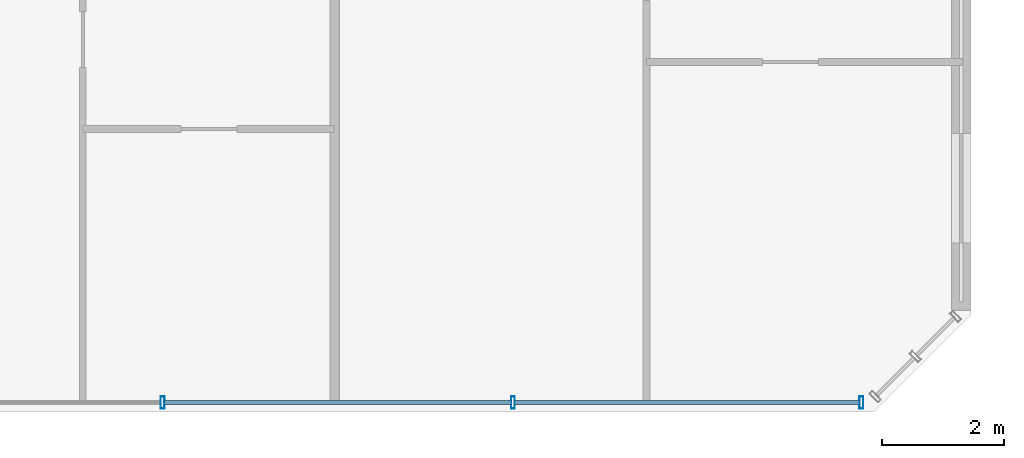
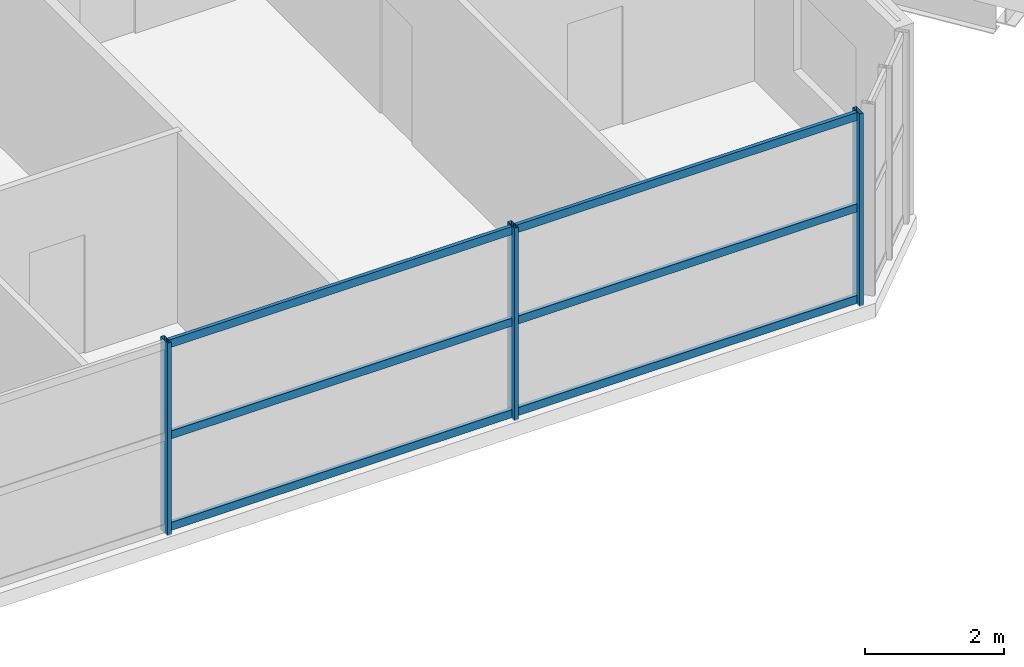
# One storey, part 8 of 29: 9 members, 1 element without a shape of its own.
"""IFC4 building model written with IfcOpenShell, lengths in metres."""

from ifc_helpers import new_model, si_unit, direction, frame, origin, origin_2d, place, context, subcontext, project, spatial, hollow_rectangle, extrude, source, transform, mapped, material, material_profile, profile_set, type_object, element, aggregate, save


model = new_model("IFC4")

# Units and contexts
model_context = context("Model", 3, precision=1e-05, world=origin(), true_north=direction((0.0, 1.0)))
body_context = subcontext(model_context, "Body", "Model", "MODEL_VIEW")
ifc_project = project(units=[si_unit("LENGTHUNIT", "METRE"), si_unit("AREAUNIT", "SQUARE_METRE"), si_unit("VOLUMEUNIT", "CUBIC_METRE"), si_unit("PLANEANGLEUNIT", "RADIAN"), si_unit("MASSUNIT", "GRAM", prefix="KILO")], contexts=[model_context])

# Site, building, storey
site_placement = place(None, origin())
site = spatial("IfcSite", under=ifc_project, at=site_placement, CompositionType="ELEMENT")
building_placement = place(site_placement, origin())
building = spatial("IfcBuilding", under=site, at=building_placement, Name="Tlacorven Tower", CompositionType="ELEMENT")
storey_placement = place(building_placement, frame((0.0, 0.0, 158.699951171875)))
storey = spatial("IfcBuildingStorey", under=building, at=storey_placement, Name="L40", CompositionType="ELEMENT", Elevation=158.699951171875)

# Curtain wall, members
ifc_material_1 = material(Name="Dark solar low-E double glazing in aluminium frame", Category="aluminium")
curtain_wall_type = type_object("IfcCurtainWallType", Name="CW-TWR-MID", PredefinedType="USERDEFINED", material=ifc_material_1)
curtain_wall_placement = place(storey_placement, origin())
curtain_wall = element("IfcCurtainWall", 1, at=curtain_wall_placement, inside=storey, type_object=curtain_wall_type, Name="L40 CW-TWR-MID Curtain Wall 179", ObjectType="UNITISED CURTAIN WALL", PredefinedType="USERDEFINED")
ifc_material_2 = material(Name="Aluminium 6063-T6 anodised", Category="aluminium")
ifc_material_profile_1 = material_profile(ifc_material_2, hollow_rectangle(XDim=0.06005859375, YDim=0.139892578125, WallThickness=0.00390625, at=origin_2d()), Name="ALU TRANSOM 60X140")
ifc_profile_set_1 = profile_set([ifc_material_profile_1], Name="Aluminium 6063-T6 anodised")
member_type_1 = type_object("IfcMemberType", Name="CWT-02", PredefinedType="USERDEFINED", material=ifc_profile_set_1)
shared_shape_1 = source(origin(), body_context, "Body", "SweptSolid", [
    extrude(hollow_rectangle(XDim=0.06005859375, YDim=0.139892578125, WallThickness=0.00390625, at=origin_2d()), origin(), (0.0, 0.0, 1.0), 5.682373046875),
])
member_1_placement = place(storey_placement, frame((50.580810546875, 1.9599609375, 0.070068359375), z_axis=(-1.0, 0.0, 0.0), x_axis=(0.0, -1.0, 0.0)))
member_1 = element("IfcMember", 2, at=member_1_placement, type_object=member_type_1, Name="CW-L40-179 Transom 1", ObjectType="TRANSOM", PredefinedType="USERDEFINED", context=body_context, shape_type="MappedRepresentation", body=[
    mapped(shared_shape_1, transform((0.0, 0.0, 0.0), scale=1.0)),
])
member_2_placement = place(storey_placement, frame((50.580810546875, 1.9599609375, 1.675048828125), z_axis=(-1.0, 0.0, 0.0), x_axis=(0.0, -1.0, 0.0)))
member_2 = element("IfcMember", 3, at=member_2_placement, type_object=member_type_1, Name="CW-L40-179 Transom 2", ObjectType="TRANSOM", PredefinedType="USERDEFINED", context=body_context, shape_type="MappedRepresentation", body=[
    mapped(shared_shape_1, transform((0.0, 0.0, 0.0), scale=1.0)),
])
member_3_placement = place(storey_placement, frame((50.580810546875, 1.9599609375, 3.280029296875), z_axis=(-1.0, 0.0, 0.0), x_axis=(0.0, -1.0, 0.0)))
member_3 = element("IfcMember", 4, at=member_3_placement, type_object=member_type_1, Name="CW-L40-179 Transom 3", ObjectType="TRANSOM", PredefinedType="USERDEFINED", context=body_context, shape_type="MappedRepresentation", body=[
    mapped(shared_shape_1, transform((0.0, 0.0, 0.0), scale=1.0)),
])
shared_shape_2 = source(origin(), body_context, "Body", "SweptSolid", [
    extrude(hollow_rectangle(XDim=0.06005859375, YDim=0.139892578125, WallThickness=0.00390625, at=origin_2d()), origin(), (0.0, 0.0, 1.0), 5.71484375),
])
member_4_placement = place(storey_placement, frame((44.857421875, 1.9599609375, 0.070068359375), z_axis=(-1.0, 0.0, 0.0), x_axis=(0.0, -1.0, 0.0)))
member_4 = element("IfcMember", 5, at=member_4_placement, type_object=member_type_1, Name="CW-L40-179 Transom 4", ObjectType="TRANSOM", PredefinedType="USERDEFINED", context=body_context, shape_type="MappedRepresentation", body=[
    mapped(shared_shape_2, transform((0.0, 0.0, 0.0), scale=1.0)),
])
member_5_placement = place(storey_placement, frame((44.857421875, 1.9599609375, 1.675048828125), z_axis=(-1.0, 0.0, 0.0), x_axis=(0.0, -1.0, 0.0)))
member_5 = element("IfcMember", 6, at=member_5_placement, type_object=member_type_1, Name="CW-L40-179 Transom 5", ObjectType="TRANSOM", PredefinedType="USERDEFINED", context=body_context, shape_type="MappedRepresentation", body=[
    mapped(shared_shape_2, transform((0.0, 0.0, 0.0), scale=1.0)),
])
member_6_placement = place(storey_placement, frame((44.857421875, 1.9599609375, 3.280029296875), z_axis=(-1.0, 0.0, 0.0), x_axis=(0.0, -1.0, 0.0)))
member_6 = element("IfcMember", 7, at=member_6_placement, type_object=member_type_1, Name="CW-L40-179 Transom 6", ObjectType="TRANSOM", PredefinedType="USERDEFINED", context=body_context, shape_type="MappedRepresentation", body=[
    mapped(shared_shape_2, transform((0.0, 0.0, 0.0), scale=1.0)),
])
ifc_material_profile_2 = material_profile(ifc_material_2, hollow_rectangle(XDim=0.06494140625, YDim=0.199951171875, WallThickness=0.00439453125, at=origin_2d()), Name="ALU MULLION 65X200")
ifc_profile_set_2 = profile_set([ifc_material_profile_2], Name="Aluminium 6063-T6 anodised")
member_type_2 = type_object("IfcMemberType", Name="CWM-02", PredefinedType="MULLION", material=ifc_profile_set_2)
shared_shape_3 = source(origin(), body_context, "Body", "SweptSolid", [
    extrude(hollow_rectangle(XDim=0.06494140625, YDim=0.199951171875, WallThickness=0.00439453125, at=origin_2d()), origin(), (0.0, 0.0, 1.0), 3.380126953125),
])
member_7_placement = place(storey_placement, frame((50.601318359375, 1.9599609375, -0.02001953125), z_axis=(0.0, 0.0, 1.0), x_axis=(-1.0, 0.0, 0.0)))
member_7 = element("IfcMember", 8, at=member_7_placement, type_object=member_type_2, Name="CW-L40-179 Mullion 1", PredefinedType="MULLION", context=body_context, shape_type="MappedRepresentation", body=[
    mapped(shared_shape_3, transform((0.0, 0.0, 0.0), scale=1.0)),
])
member_8_placement = place(storey_placement, frame((44.8779296875, 1.9599609375, -0.02001953125), z_axis=(0.0, 0.0, 1.0), x_axis=(-1.0, 0.0, 0.0)))
member_8 = element("IfcMember", 9, at=member_8_placement, type_object=member_type_2, Name="CW-L40-179 Mullion 2", PredefinedType="MULLION", context=body_context, shape_type="MappedRepresentation", body=[
    mapped(shared_shape_3, transform((0.0, 0.0, 0.0), scale=1.0)),
])
member_9_placement = place(storey_placement, frame((39.1220703125, 1.9599609375, -0.02001953125), z_axis=(0.0, 0.0, 1.0), x_axis=(-1.0, 0.0, 0.0)))
member_9 = element("IfcMember", 10, at=member_9_placement, type_object=member_type_2, Name="CW-L40-179 Mullion 3", PredefinedType="MULLION", context=body_context, shape_type="MappedRepresentation", body=[
    mapped(shared_shape_3, transform((0.0, 0.0, 0.0), scale=1.0)),
])
aggregate(curtain_wall, [member_7, member_8, member_9, member_1, member_2, member_3, member_4, member_5, member_6])

save(model, "model.ifc")
